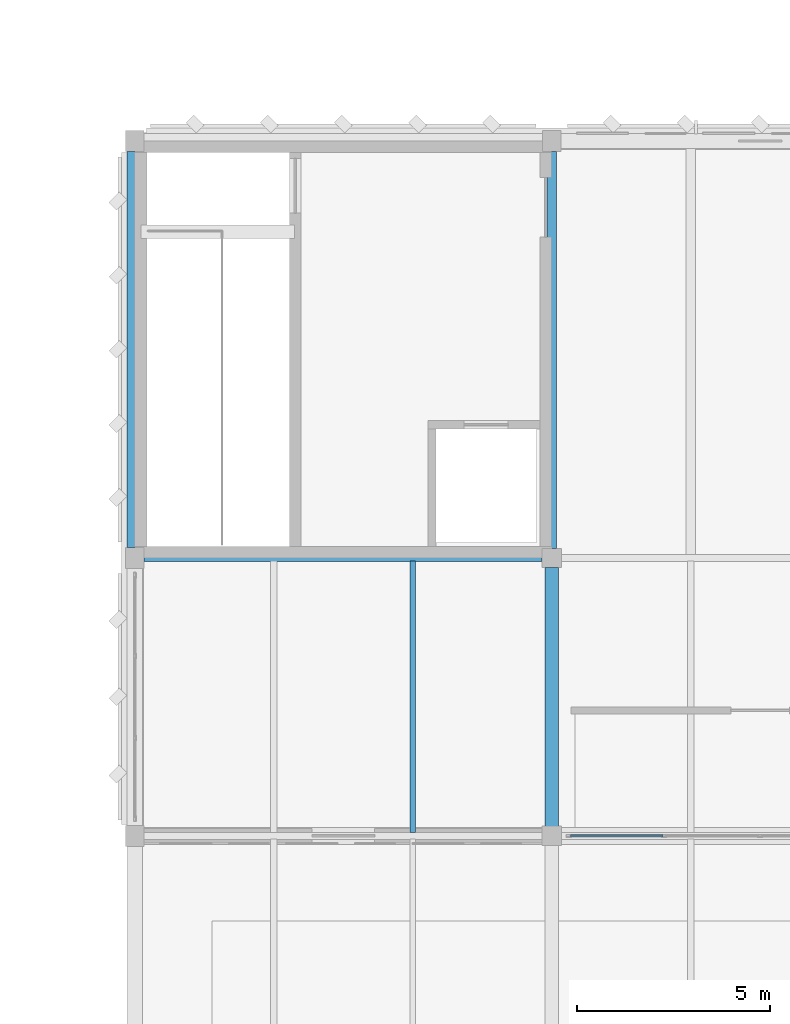
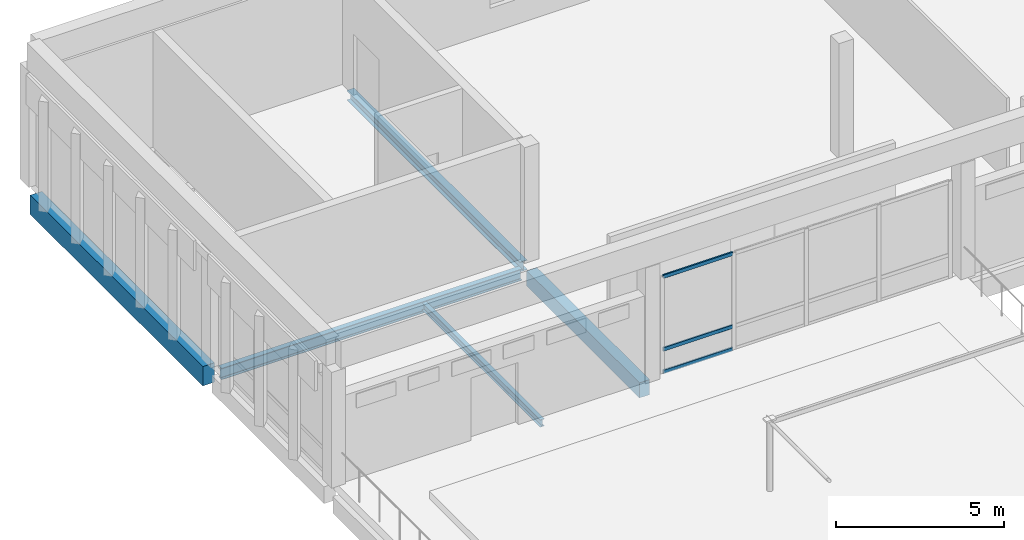
# One storey, part 9 of 33: 5 beams, 3 members, 1 element without a shape of its own.
"""IFC4 building model written with IfcOpenShell, lengths in metres."""

from ifc_helpers import new_model, si_unit, direction, frame, origin, origin_2d, place, context, subcontext, project, spatial, rectangle, hollow_rectangle, i_section, extrude, material, material_profile, profile_set, type_object, element, aggregate, save


model = new_model("IFC4")

# Units and contexts
model_context = context("Model", 3, precision=1e-05, world=origin(), true_north=direction((0.0, 1.0)))
body_context = subcontext(model_context, "Body", "Model", "MODEL_VIEW")
ifc_project = project(units=[si_unit("LENGTHUNIT", "METRE"), si_unit("AREAUNIT", "SQUARE_METRE"), si_unit("VOLUMEUNIT", "CUBIC_METRE"), si_unit("PLANEANGLEUNIT", "RADIAN"), si_unit("MASSUNIT", "GRAM", prefix="KILO")], contexts=[model_context])

# Site, building, storey
site_placement = place(None, origin())
site = spatial("IfcSite", under=ifc_project, at=site_placement, CompositionType="ELEMENT")
building_placement = place(site_placement, origin())
building = spatial("IfcBuilding", under=site, at=building_placement, Name="Lusvemor Sports Hall", CompositionType="ELEMENT")
storey_placement = place(building_placement, frame((0.0, 0.0, 19.199951171875)))
storey = spatial("IfcBuildingStorey", under=building, at=storey_placement, Name="L04", CompositionType="ELEMENT", Elevation=19.199951171875)

# Beams
ifc_material_1 = material(Name="Concrete C40/50", Category="concrete")
ifc_material_profile_1 = material_profile(ifc_material_1, rectangle(XDim=0.35009765625, YDim=0.550048828125, at=origin_2d()), Name="RC350x550")
ifc_profile_set_1 = profile_set([ifc_material_profile_1], Name="Concrete C40/50")
beam_type_1 = type_object("IfcBeamType", Name="BEAM_RC_550", PredefinedType="BEAM", material=ifc_profile_set_1)
beam_1_placement = place(storey_placement, frame((10.800048828125, 97.446044921875, -0.56494140625), z_axis=(0.0, 1.0, 0.0), x_axis=(-1.0, 0.0, 0.0)))
element("IfcBeam", 1, at=beam_1_placement, inside=storey, type_object=beam_type_1, Name="Beam L04 2:N-P", PredefinedType="BEAM", context=body_context, shape_type="SweptSolid", body=[
    extrude(rectangle(XDim=0.35009765625, YDim=0.550048828125, at=origin_2d()), origin(), (0.0, 0.0, 1.0), 6.7080078125),
])
ifc_material_2 = material(Name="Steel S355", Category="steel")
ifc_material_profile_2 = material_profile(ifc_material_2, i_section(OverallWidth=0.256103515625, OverallDepth=0.360107421875, WebThickness=0.011474609375, FlangeThickness=0.02001953125, FilletRadius=0.014892578125, at=origin_2d()), Name="W360x110.0")
ifc_profile_set_2 = profile_set([ifc_material_profile_2], Name="Steel S355")
beam_type_2 = type_object("IfcBeamType", Name="BEAM_ST_360H", PredefinedType="BEAM", material=ifc_profile_set_2)
beam_2_placement = place(storey_placement, frame((10.800048828125, 104.64599609375, -0.473876953125), z_axis=(0.0, 1.0, 0.0), x_axis=(-1.0, 0.0, 0.0)))
element("IfcBeam", 2, at=beam_2_placement, inside=storey, type_object=beam_type_2, Name="Beam L04 2:P-Q", PredefinedType="BEAM", context=body_context, shape_type="SweptSolid", body=[
    extrude(i_section(OverallWidth=0.256103515625, OverallDepth=0.360107421875, WebThickness=0.011474609375, FlangeThickness=0.02001953125, FilletRadius=0.014892578125, at=origin_2d()), origin(), (0.0, 0.0, 1.0), 10.2880859375),
])
ifc_material_3 = material(Name="Steel S355", Category="steel")
ifc_material_profile_3 = material_profile(ifc_material_3, i_section(OverallWidth=0.180908203125, OverallDepth=0.4169921875, WebThickness=0.010986328125, FlangeThickness=0.018310546875, FilletRadius=0.01611328125, at=origin_2d()), Name="W410x85.0")
ifc_profile_set_3 = profile_set([ifc_material_profile_3], Name="Steel S355")
beam_type_3 = type_object("IfcBeamType", Name="BEAM_ST_410H", PredefinedType="BEAM", material=ifc_profile_set_3)
beam_3_placement = place(storey_placement, frame((0.236083984375, 104.39990234375, -0.50244140625), z_axis=(1.0, 0.0, 0.0), x_axis=(0.0, 1.0, 0.0)))
element("IfcBeam", 3, at=beam_3_placement, inside=storey, type_object=beam_type_3, Name="Beam L04 P:1-2", PredefinedType="BEAM", context=body_context, shape_type="SweptSolid", body=[
    extrude(i_section(OverallWidth=0.180908203125, OverallDepth=0.4169921875, WebThickness=0.010986328125, FlangeThickness=0.018310546875, FilletRadius=0.01611328125, at=origin_2d()), origin(), (0.0, 0.0, 1.0), 10.31787109375),
])

# Curtain wall, members
ifc_material_4 = material(Name="Thermally broken bronze-anodized aluminium", Category="aluminium")
curtain_wall_type = type_object("IfcCurtainWallType", Name="CW_WING_B", PredefinedType="NOTDEFINED", material=ifc_material_4)
curtain_wall_placement = place(storey_placement, origin())
curtain_wall = element("IfcCurtainWall", 4, at=curtain_wall_placement, inside=storey, type_object=curtain_wall_type, Name="Curtain Wall CW-L04-S-3-1", PredefinedType="NOTDEFINED")
ifc_material_5 = material(Name="Thermally broken bronze-anodized aluminium", Category="aluminium")
ifc_material_profile_4 = material_profile(ifc_material_5, hollow_rectangle(XDim=0.06005859375, YDim=0.135009765625, WallThickness=0.00390625, InnerFilletRadius=0.00390625, OuterFilletRadius=0.008056640625, at=origin_2d()), Name="CWTRN135x60x4")
ifc_profile_set_4 = profile_set([ifc_material_profile_4], Name="Thermally broken bronze-anodized aluminium")
member_type = type_object("IfcMemberType", Name="CW_TRN_B", PredefinedType="USERDEFINED", material=ifc_profile_set_4)
member_1_placement = place(storey_placement, frame((13.677490234375, 97.199951171875, 0.030029296875), z_axis=(-1.0, 0.0, 0.0), x_axis=(0.0, -1.0, 0.0)))
member_1 = element("IfcMember", 5, at=member_1_placement, type_object=member_type, Name="CW02 transom 4.1", ObjectType="TRANSOM", PredefinedType="USERDEFINED", context=body_context, shape_type="SweptSolid", body=[
    extrude(hollow_rectangle(XDim=0.06005859375, YDim=0.135009765625, WallThickness=0.00390625, InnerFilletRadius=0.00390625, OuterFilletRadius=0.008056640625, at=origin_2d()), origin(), (0.0, 0.0, 1.0), 2.392578125),
])
member_2_placement = place(storey_placement, frame((13.677490234375, 97.199951171875, 0.85009765625), z_axis=(-1.0, 0.0, 0.0), x_axis=(0.0, -1.0, 0.0)))
member_2 = element("IfcMember", 6, at=member_2_placement, type_object=member_type, Name="CW02 transom 4.2", ObjectType="TRANSOM", PredefinedType="USERDEFINED", context=body_context, shape_type="SweptSolid", body=[
    extrude(hollow_rectangle(XDim=0.06005859375, YDim=0.135009765625, WallThickness=0.00390625, InnerFilletRadius=0.00390625, OuterFilletRadius=0.008056640625, at=origin_2d()), origin(), (0.0, 0.0, 1.0), 2.392578125),
])
member_3_placement = place(storey_placement, frame((13.677490234375, 97.199951171875, 3.489990234375), z_axis=(-1.0, 0.0, 0.0), x_axis=(0.0, -1.0, 0.0)))
member_3 = element("IfcMember", 7, at=member_3_placement, type_object=member_type, Name="CW02 transom 4.3", ObjectType="TRANSOM", PredefinedType="USERDEFINED", context=body_context, shape_type="SweptSolid", body=[
    extrude(hollow_rectangle(XDim=0.06005859375, YDim=0.135009765625, WallThickness=0.00390625, InnerFilletRadius=0.00390625, OuterFilletRadius=0.008056640625, at=origin_2d()), origin(), (0.0, 0.0, 1.0), 2.392578125),
])
aggregate(curtain_wall, [member_1, member_2, member_3])

# Beams
ifc_material_6 = material(Name="Steel S355", Category="steel")
ifc_material_profile_5 = material_profile(ifc_material_6, i_section(OverallWidth=0.14794921875, OverallDepth=0.26611328125, WebThickness=0.007568359375, FlangeThickness=0.012939453125, FilletRadius=0.012939453125, at=origin_2d()), Name="W250x44.8")
ifc_profile_set_5 = profile_set([ifc_material_profile_5], Name="Steel S355")
beam_type_4 = type_object("IfcBeamType", Name="JOIST_ST_250M", PredefinedType="JOIST", material=ifc_profile_set_5)
beam_4_placement = place(storey_placement, frame((7.199951171875, 97.28662109375, -0.451904296875), z_axis=(0.0, 1.0, 0.0), x_axis=(-1.0, 0.0, 0.0)))
element("IfcBeam", 8, at=beam_4_placement, inside=storey, type_object=beam_type_4, Name="Secondary Joist L04 1-2/N-P #2", PredefinedType="JOIST", context=body_context, shape_type="SweptSolid", body=[
    extrude(i_section(OverallWidth=0.14794921875, OverallDepth=0.26611328125, WebThickness=0.007568359375, FlangeThickness=0.012939453125, FilletRadius=0.012939453125, at=origin_2d()), origin(), (0.0, 0.0, 1.0), 7.02685546875),
])
ifc_material_7 = material(Name="Concrete C40/50", Category="concrete")
ifc_material_profile_6 = material_profile(ifc_material_7, rectangle(XDim=0.39990234375, YDim=0.699951171875, at=origin_2d()), Name="RC400x700")
ifc_profile_set_6 = profile_set([ifc_material_profile_6], Name="Concrete C40/50")
beam_type_5 = type_object("IfcBeamType", Name="SPAND_EXT_700", PredefinedType="SPANDREL", material=ifc_profile_set_6)
beam_5_placement = place(storey_placement, frame((0.0, 104.666015625, -0.639892578125), z_axis=(0.0, 1.0, 0.0), x_axis=(-1.0, 0.0, 0.0)))
element("IfcBeam", 9, at=beam_5_placement, inside=storey, type_object=beam_type_5, Name="Beam L04 1:P-Q", PredefinedType="SPANDREL", context=body_context, shape_type="SweptSolid", body=[
    extrude(rectangle(XDim=0.39990234375, YDim=0.699951171875, at=origin_2d()), origin(), (0.0, 0.0, 1.0), 10.26806640625),
])

save(model, "model.ifc")
